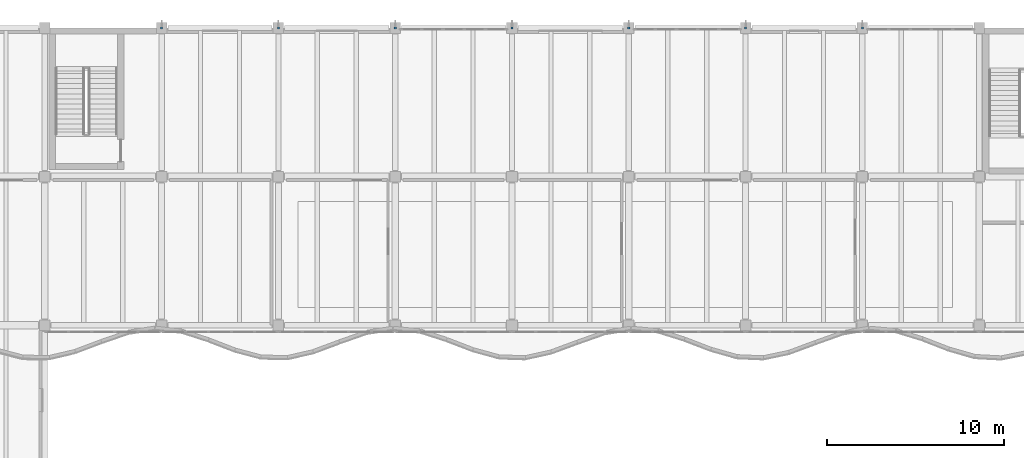
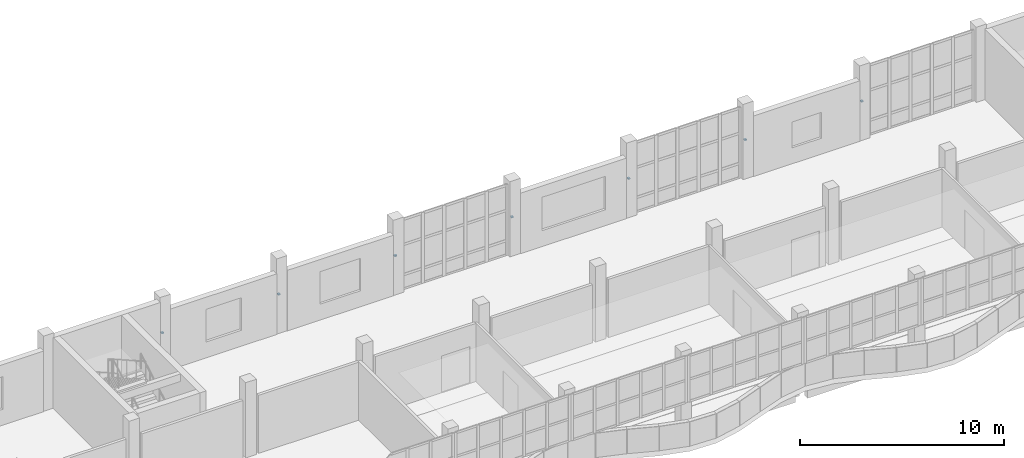
# One storey, part 59 of 76: 7 discrete accessories.
"""IFC4 building model written with IfcOpenShell, lengths in metres."""

from ifc_helpers import new_model, si_unit, direction, frame, origin, origin_2d, place, context, subcontext, project, spatial, rectangle, extrude, material, layer, layer_set, type_object, element, save


model = new_model("IFC4")

# Units and contexts
model_context = context("Model", 3, precision=1e-05, world=origin(), true_north=direction((0.0, 1.0)))
body_context = subcontext(model_context, "Body", "Model", "MODEL_VIEW")
ifc_project = project(units=[si_unit("LENGTHUNIT", "METRE"), si_unit("AREAUNIT", "SQUARE_METRE"), si_unit("VOLUMEUNIT", "CUBIC_METRE"), si_unit("PLANEANGLEUNIT", "RADIAN"), si_unit("MASSUNIT", "GRAM", prefix="KILO")], contexts=[model_context])

# Site, building, storey
site_placement = place(None, origin())
site = spatial("IfcSite", under=ifc_project, at=site_placement, CompositionType="ELEMENT")
building_placement = place(site_placement, origin())
building = spatial("IfcBuilding", under=site, at=building_placement, Name="Qaldarim Faculty of Natural and Applied Sciences", CompositionType="ELEMENT")
storey_placement = place(building_placement, frame((0.0, 0.0, 9.89990234375)))
storey = spatial("IfcBuildingStorey", under=building, at=storey_placement, Name="L02", CompositionType="ELEMENT", Elevation=9.89990234375)

# Discrete accessories
ifc_material = material(Name="Architectural stainless steel 316", Category="steel")
ifc_layer = layer(ifc_material, 0.080078125)
ifc_layer_set = layer_set([ifc_layer], Name="Architectural stainless steel 316")
discrete_accessory_type = type_object("IfcDiscreteAccessoryType", Name="FacadeBracket-SS120", PredefinedType="BRACKET", material=ifc_layer_set)
for number, where, z_axis, x_axis, name in (
    (1, (52.800048828125, 117.60009765625, 2.080078125), (0.0, 0.0, 1.0), (1.0, 0.0, 0.0), "North fin bracket FIN-V4N-L02-X09"),
    (2, (59.39990234375, 117.60009765625, 2.080078125), (0.0, 0.0, 1.0), (1.0, 0.0, 0.0), "North fin bracket FIN-V4N-L02-X10"),
    (3, (66.0, 117.60009765625, 2.080078125), (0.0, 0.0, 1.0), (1.0, 0.0, 0.0), "North fin bracket FIN-V4N-L02-X11"),
    (4, (72.60009765625, 117.60009765625, 2.080078125), (0.0, 0.0, 1.0), (1.0, 0.0, 0.0), "North fin bracket FIN-V4N-L02-X12"),
    (5, (79.199951171875, 117.60009765625, 2.080078125), (0.0, 0.0, 1.0), (1.0, 0.0, 0.0), "North fin bracket FIN-V4N-L02-X13"),
    (6, (85.800048828125, 117.60009765625, 2.080078125), (0.0, 0.0, 1.0), (1.0, 0.0, 0.0), "North fin bracket FIN-V4N-L02-X14"),
    (7, (92.39990234375, 117.60009765625, 2.080078125), (0.0, 0.0, 1.0), (1.0, 0.0, 0.0), "North fin bracket FIN-V4N-L02-X15"),
):
    element("IfcDiscreteAccessory", number, at=place(storey_placement, frame(where, z_axis=z_axis, x_axis=x_axis)), inside=storey, type_object=discrete_accessory_type, Name=name, PredefinedType="BRACKET", context=body_context, shape_type="SweptSolid", body=[
        extrude(rectangle(XDim=0.1201171875, YDim=0.1201171875, at=origin_2d()), origin(), (0.0, 0.0, 1.0), 0.080078125),
    ])

save(model, "model.ifc")
